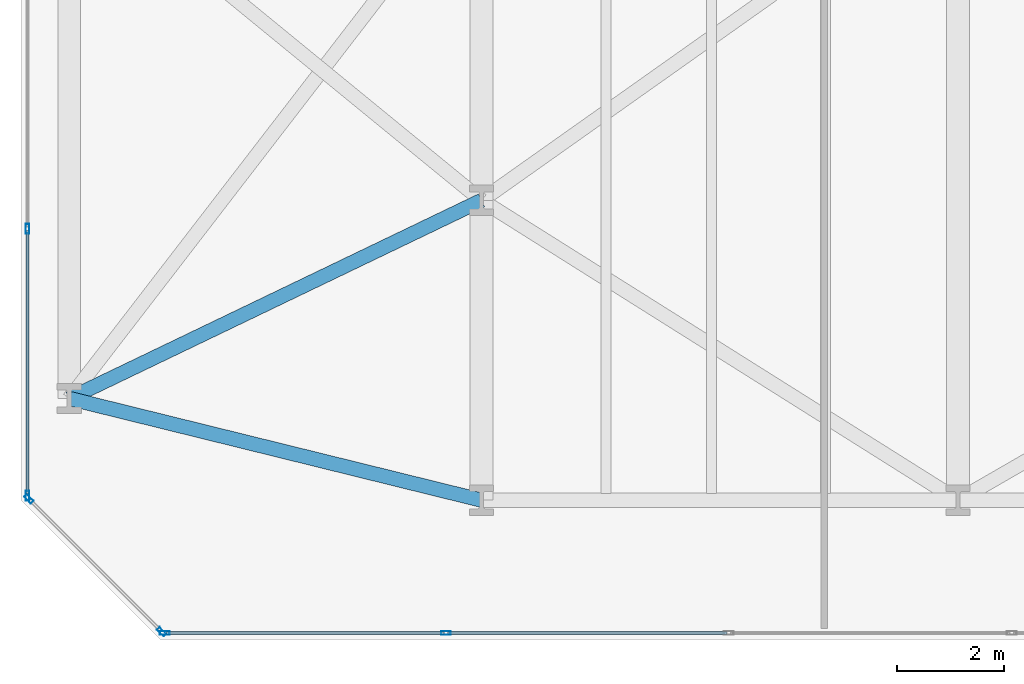
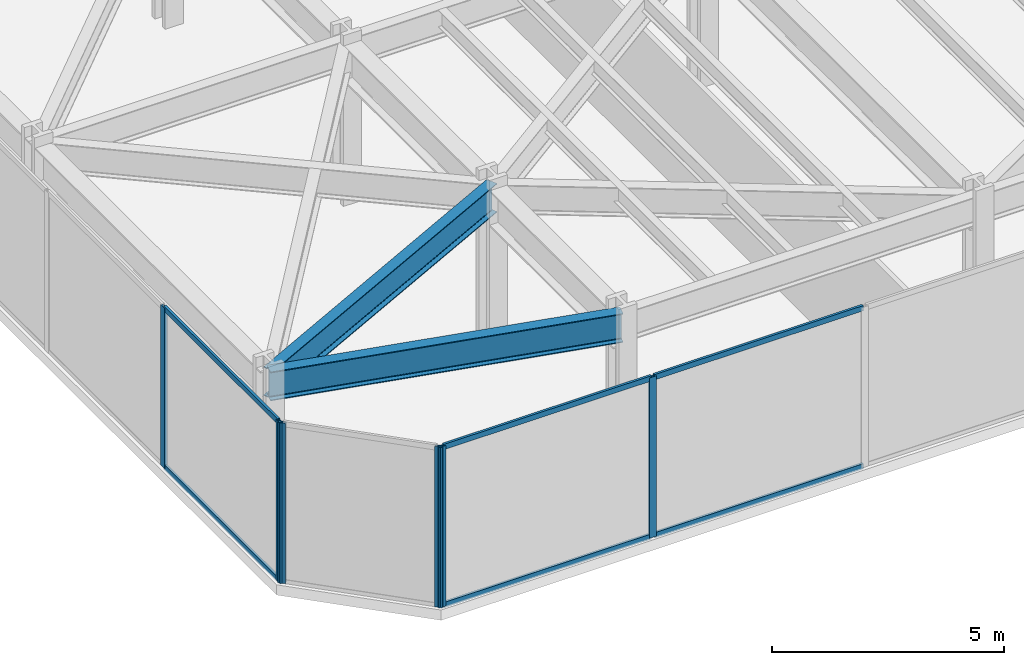
# One storey, part 2 of 28: 12 members, 2 beams, 3 elements without a shape of their own.
"""IFC4 building model written with IfcOpenShell, lengths in metres."""

from ifc_helpers import new_model, si_unit, direction, frame, origin, origin_2d, place, context, subcontext, project, spatial, hollow_rectangle, i_section, extrude, material, layer, layer_set, material_profile, profile_set, type_object, element, aggregate, save


model = new_model("IFC4")

# Units and contexts
model_context = context("Model", 3, precision=1e-05, world=origin(), true_north=direction((0.0, 1.0)))
body_context = subcontext(model_context, "Body", "Model", "MODEL_VIEW")
ifc_project = project(units=[si_unit("LENGTHUNIT", "METRE"), si_unit("AREAUNIT", "SQUARE_METRE"), si_unit("VOLUMEUNIT", "CUBIC_METRE"), si_unit("PLANEANGLEUNIT", "RADIAN"), si_unit("MASSUNIT", "GRAM", prefix="KILO")], contexts=[model_context])

# Site, building, storey
site_placement = place(None, origin())
site = spatial("IfcSite", under=ifc_project, at=site_placement, CompositionType="ELEMENT")
building_placement = place(site_placement, origin())
building = spatial("IfcBuilding", under=site, at=building_placement, Name="Kravanh Interchange Tower", CompositionType="ELEMENT")
storey_placement = place(building_placement, frame((0.0, 0.0, 10.800048828125)))
storey = spatial("IfcBuildingStorey", under=building, at=storey_placement, Name="L02", CompositionType="ELEMENT", Elevation=10.800048828125)

# Curtain wall, members
ifc_material_1 = material(Name="Anodised Bronze Aluminium", Category="aluminium")
ifc_layer = layer(ifc_material_1, 0.179931640625)
ifc_layer_set = layer_set([ifc_layer], Name="Unitised Curtain Wall System CW-POD Podium Concourse")
curtain_wall_type = type_object("IfcCurtainWallType", Name="Unitised Curtain Wall System CW-POD Podium Concourse", PredefinedType="NOTDEFINED", material=ifc_layer_set)
curtain_wall_1_placement = place(storey_placement, origin())
curtain_wall_1 = element("IfcCurtainWall", 1, at=curtain_wall_1_placement, inside=storey, type_object=curtain_wall_type, Name="L02 Unitised Curtain Wall CW-L02-01", PredefinedType="NOTDEFINED")
ifc_material_2 = material(Name="Anodised Bronze Aluminium", Category="aluminium")
ifc_material_profile_1 = material_profile(ifc_material_2, hollow_rectangle(XDim=0.070068359375, YDim=0.179931640625, WallThickness=0.00390625, at=origin_2d()), Name="ALU70X180X4")
ifc_profile_set_1 = profile_set([ifc_material_profile_1], Name="Anodised Bronze Aluminium")
member_type_1 = type_object("IfcMemberType", Name="Curtain Wall Mullion ALU70X180X4 Bronze", PredefinedType="MULLION", material=ifc_profile_set_1)
member_1_placement = place(storey_placement, frame((0.1201171875, 2.684814453125, 0.0), z_axis=(0.0, 0.0, 1.0), x_axis=(-1.0, 0.0, 0.0)))
member_1 = element("IfcMember", 2, at=member_1_placement, type_object=member_type_1, Name="CW-POD mullion 1", PredefinedType="MULLION", context=body_context, shape_type="SweptSolid", body=[
    extrude(hollow_rectangle(XDim=0.070068359375, YDim=0.179931640625, WallThickness=0.00390625, at=origin_2d()), origin(), (0.0, 0.0, 1.0), 4.22998046875),
])
member_2_placement = place(storey_placement, frame((0.1201171875, 7.671142578125, 0.0), z_axis=(0.0, 0.0, 1.0), x_axis=(-1.0, 0.0, 0.0)))
member_2 = element("IfcMember", 3, at=member_2_placement, type_object=member_type_1, Name="CW-POD mullion 2", PredefinedType="MULLION", context=body_context, shape_type="SweptSolid", body=[
    extrude(hollow_rectangle(XDim=0.070068359375, YDim=0.179931640625, WallThickness=0.00390625, at=origin_2d()), origin(), (0.0, 0.0, 1.0), 4.22998046875),
])

curtain_wall_2_placement = place(storey_placement, origin())
curtain_wall_2 = element("IfcCurtainWall", 4, at=curtain_wall_2_placement, inside=storey, type_object=curtain_wall_type, Name="L02 Unitised Curtain Wall CW-L02-04", PredefinedType="NOTDEFINED")
member_3_placement = place(storey_placement, frame((7.934326171875, 0.1201171875, 0.0), z_axis=(0.0, 0.0, 1.0), x_axis=(0.0, -1.0, 0.0)))
member_3 = element("IfcMember", 5, at=member_3_placement, type_object=member_type_1, Name="CW-POD mullion 13", PredefinedType="MULLION", context=body_context, shape_type="SweptSolid", body=[
    extrude(hollow_rectangle(XDim=0.070068359375, YDim=0.179931640625, WallThickness=0.00390625, at=origin_2d()), origin(), (0.0, 0.0, 1.0), 4.22998046875),
])
member_4_placement = place(storey_placement, frame((2.684814453125, 0.1201171875, 0.0), z_axis=(0.0, 0.0, 1.0), x_axis=(0.0, -1.0, 0.0)))
member_4 = element("IfcMember", 6, at=member_4_placement, type_object=member_type_1, Name="CW-POD mullion 14", PredefinedType="MULLION", context=body_context, shape_type="SweptSolid", body=[
    extrude(hollow_rectangle(XDim=0.070068359375, YDim=0.179931640625, WallThickness=0.00390625, at=origin_2d()), origin(), (0.0, 0.0, 1.0), 4.22998046875),
])

curtain_wall_3_placement = place(storey_placement, origin())
curtain_wall_3 = element("IfcCurtainWall", 7, at=curtain_wall_3_placement, inside=storey, type_object=curtain_wall_type, Name="L02 Unitised Curtain Wall CW-L02-05", PredefinedType="NOTDEFINED")
member_5_placement = place(storey_placement, frame((2.625, 0.144775390625, 0.0), z_axis=(0.0, 0.0, 1.0), x_axis=(-0.707106781187, -0.707106781187, 0.0)))
member_5 = element("IfcMember", 8, at=member_5_placement, type_object=member_type_1, Name="CW-POD mullion 1", PredefinedType="MULLION", context=body_context, shape_type="SweptSolid", body=[
    extrude(hollow_rectangle(XDim=0.070068359375, YDim=0.179931640625, WallThickness=0.00390625, at=origin_2d()), origin(), (0.0, 0.0, 1.0), 4.22998046875),
])
member_6_placement = place(storey_placement, frame((0.144775390625, 2.625, 0.0), z_axis=(0.0, 0.0, 1.0), x_axis=(-0.707106781187, -0.707106781187, 0.0)))
member_6 = element("IfcMember", 9, at=member_6_placement, type_object=member_type_1, Name="CW-POD mullion 2", PredefinedType="MULLION", context=body_context, shape_type="SweptSolid", body=[
    extrude(hollow_rectangle(XDim=0.070068359375, YDim=0.179931640625, WallThickness=0.00390625, at=origin_2d()), origin(), (0.0, 0.0, 1.0), 4.22998046875),
])
aggregate(curtain_wall_3, [member_5, member_6])

# Member
ifc_material_3 = material(Name="Anodised Bronze Aluminium", Category="aluminium")
ifc_material_profile_2 = material_profile(ifc_material_3, hollow_rectangle(XDim=0.06005859375, YDim=0.139892578125, WallThickness=0.00390625, at=origin_2d()), Name="ALU60X140X4")
ifc_profile_set_2 = profile_set([ifc_material_profile_2], Name="Anodised Bronze Aluminium")
member_type_2 = type_object("IfcMemberType", Name="Curtain Wall Transom ALU60X140X4 Bronze", PredefinedType="USERDEFINED", material=ifc_profile_set_2)
member_7_placement = place(storey_placement, frame((0.1201171875, 2.7197265625, 0.030029296875), z_axis=(0.0, 1.0, 0.0), x_axis=(-1.0, 0.0, 0.0)))
member_7 = element("IfcMember", 10, at=member_7_placement, type_object=member_type_2, Name="CW-POD transom 1.1", ObjectType="TRANSOM", PredefinedType="USERDEFINED", context=body_context, shape_type="SweptSolid", body=[
    extrude(hollow_rectangle(XDim=0.06005859375, YDim=0.139892578125, WallThickness=0.00390625, at=origin_2d()), origin(), (0.0, 0.0, 1.0), 4.91650390625),
])

member_8_placement = place(storey_placement, frame((0.1201171875, 2.7197265625, 4.199951171875), z_axis=(0.0, 1.0, 0.0), x_axis=(-1.0, 0.0, 0.0)))
member_8 = element("IfcMember", 11, at=member_8_placement, type_object=member_type_2, Name="CW-POD transom 1.2", ObjectType="TRANSOM", PredefinedType="USERDEFINED", context=body_context, shape_type="SweptSolid", body=[
    extrude(hollow_rectangle(XDim=0.06005859375, YDim=0.139892578125, WallThickness=0.00390625, at=origin_2d()), origin(), (0.0, 0.0, 1.0), 4.91650390625),
])

aggregate(curtain_wall_1, [member_1, member_2, member_7, member_8])

member_9_placement = place(storey_placement, frame((13.18408203125, 0.1201171875, 0.030029296875), z_axis=(-1.0, 0.0, 0.0), x_axis=(0.0, -1.0, 0.0)))
member_9 = element("IfcMember", 12, at=member_9_placement, type_object=member_type_2, Name="CW-POD transom 12.1", ObjectType="TRANSOM", PredefinedType="USERDEFINED", context=body_context, shape_type="SweptSolid", body=[
    extrude(hollow_rectangle(XDim=0.06005859375, YDim=0.139892578125, WallThickness=0.00390625, at=origin_2d()), origin(), (0.0, 0.0, 1.0), 5.214599609375),
])

member_10_placement = place(storey_placement, frame((13.18408203125, 0.1201171875, 4.199951171875), z_axis=(-1.0, 0.0, 0.0), x_axis=(0.0, -1.0, 0.0)))
member_10 = element("IfcMember", 13, at=member_10_placement, type_object=member_type_2, Name="CW-POD transom 12.2", ObjectType="TRANSOM", PredefinedType="USERDEFINED", context=body_context, shape_type="SweptSolid", body=[
    extrude(hollow_rectangle(XDim=0.06005859375, YDim=0.139892578125, WallThickness=0.00390625, at=origin_2d()), origin(), (0.0, 0.0, 1.0), 5.214599609375),
])

member_11_placement = place(storey_placement, frame((7.8994140625, 0.1201171875, 0.030029296875), z_axis=(-1.0, 0.0, 0.0), x_axis=(0.0, -1.0, 0.0)))
member_11 = element("IfcMember", 14, at=member_11_placement, type_object=member_type_2, Name="CW-POD transom 13.1", ObjectType="TRANSOM", PredefinedType="USERDEFINED", context=body_context, shape_type="SweptSolid", body=[
    extrude(hollow_rectangle(XDim=0.06005859375, YDim=0.139892578125, WallThickness=0.00390625, at=origin_2d()), origin(), (0.0, 0.0, 1.0), 5.1796875),
])

member_12_placement = place(storey_placement, frame((7.8994140625, 0.1201171875, 4.199951171875), z_axis=(-1.0, 0.0, 0.0), x_axis=(0.0, -1.0, 0.0)))
member_12 = element("IfcMember", 15, at=member_12_placement, type_object=member_type_2, Name="CW-POD transom 13.2", ObjectType="TRANSOM", PredefinedType="USERDEFINED", context=body_context, shape_type="SweptSolid", body=[
    extrude(hollow_rectangle(XDim=0.06005859375, YDim=0.139892578125, WallThickness=0.00390625, at=origin_2d()), origin(), (0.0, 0.0, 1.0), 5.1796875),
])

aggregate(curtain_wall_2, [member_3, member_4, member_9, member_10, member_11, member_12])

# Beams
ifc_material_4 = material(Name="Structural Steel S355", Category="steel")
ifc_material_profile_3 = material_profile(ifc_material_4, i_section(OverallWidth=0.26708984375, OverallDepth=0.761962890625, WebThickness=0.014404296875, FlangeThickness=0.021484375, FilletRadius=0.02490234375, at=origin_2d()), Name="W30X116")
ifc_profile_set_3 = profile_set([ifc_material_profile_3], Name="Structural Steel S355")
beam_type = type_object("IfcBeamType", Name="Floor Spandrel W30X116 Structural Steel S355", PredefinedType="SPANDREL", material=ifc_profile_set_3)
beam_1_placement = place(storey_placement, frame((8.60009765625, 2.60009765625, 3.848876953125), z_axis=(-0.970883936595, 0.239550373956, 0.0), x_axis=(-0.239550373956, -0.970883936595, 0.0)))
element("IfcBeam", 16, at=beam_1_placement, inside=storey, type_object=beam_type, Name="L02 Perimeter Spandrel 2", PredefinedType="SPANDREL", context=body_context, shape_type="SweptSolid", body=[
    extrude(i_section(OverallWidth=0.26708984375, OverallDepth=0.761962890625, WebThickness=0.014404296875, FlangeThickness=0.021484375, FilletRadius=0.02490234375, at=origin_2d()), origin(), (0.0, 0.0, 1.0), 7.93115234375),
])
beam_2_placement = place(storey_placement, frame((8.60009765625, 8.199951171875, 3.848876953125), z_axis=(-0.901346832937, -0.433098010563, 0.0), x_axis=(0.433098010563, -0.901346832937, 0.0)))
element("IfcBeam", 17, at=beam_2_placement, inside=storey, type_object=beam_type, Name="L02 Perimeter Spandrel 24", PredefinedType="SPANDREL", context=body_context, shape_type="SweptSolid", body=[
    extrude(i_section(OverallWidth=0.26708984375, OverallDepth=0.761962890625, WebThickness=0.014404296875, FlangeThickness=0.021484375, FilletRadius=0.02490234375, at=origin_2d()), origin(), (0.0, 0.0, 1.0), 8.54296875),
])

save(model, "model.ifc")
